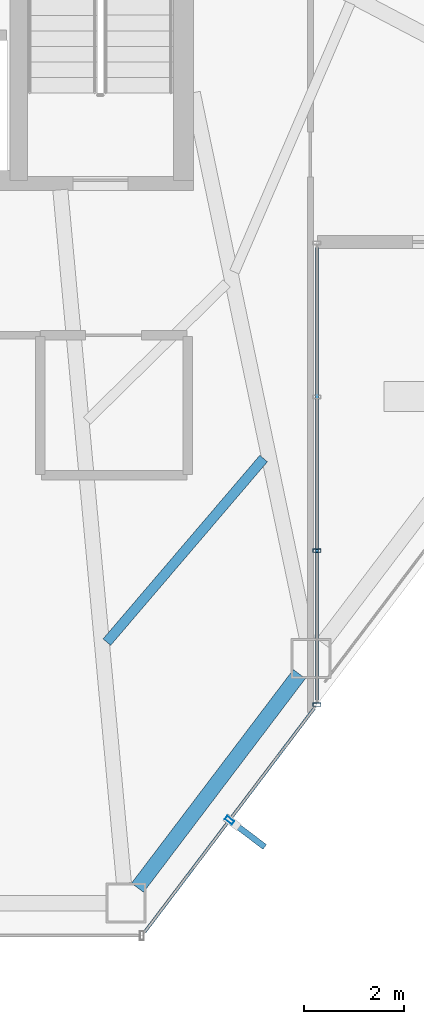
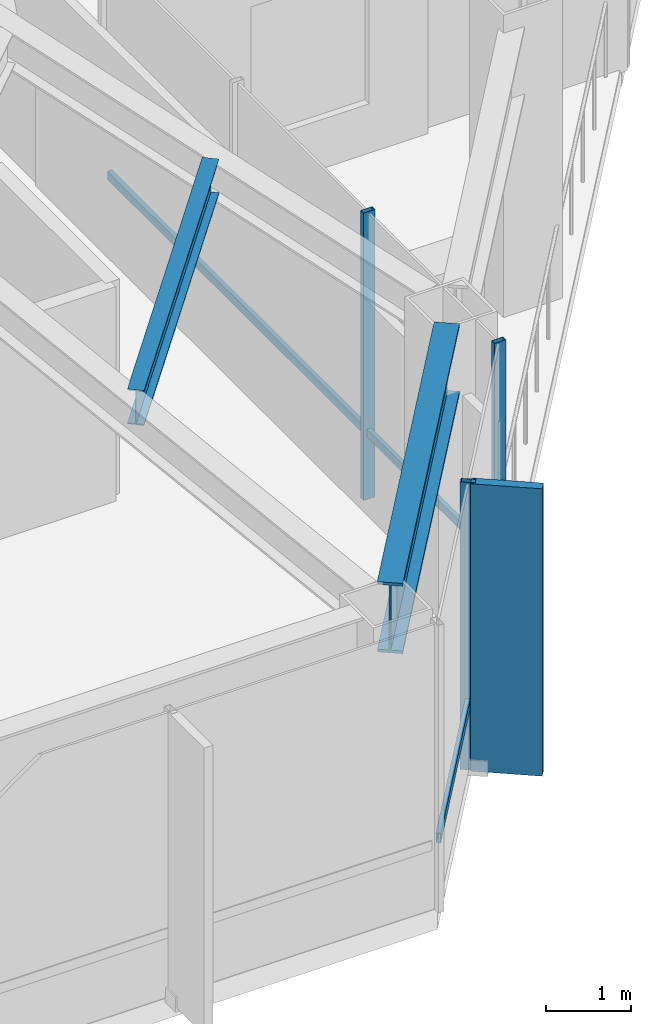
# One storey, part 15 of 27: 6 members, 2 beams, 2 elements without a shape of their own.
"""IFC4 building model written with IfcOpenShell, lengths in metres."""

from ifc_helpers import new_model, si_unit, direction, frame, origin, origin_2d, place, context, subcontext, project, spatial, rectangle, hollow_rectangle, i_section, extrude, material, layer, layer_set, material_profile, profile_set, type_object, element, aggregate, save


model = new_model("IFC4")

# Units and contexts
model_context = context("Model", 3, precision=1e-05, world=origin(), true_north=direction((0.0, 1.0)))
body_context = subcontext(model_context, "Body", "Model", "MODEL_VIEW")
ifc_project = project(units=[si_unit("LENGTHUNIT", "METRE"), si_unit("AREAUNIT", "SQUARE_METRE"), si_unit("VOLUMEUNIT", "CUBIC_METRE"), si_unit("PLANEANGLEUNIT", "RADIAN"), si_unit("MASSUNIT", "GRAM", prefix="KILO")], contexts=[model_context])

# Site, building, storey
site_placement = place(None, origin())
site = spatial("IfcSite", under=ifc_project, at=site_placement, CompositionType="ELEMENT")
building_placement = place(site_placement, origin())
building = spatial("IfcBuilding", under=site, at=building_placement, Name="Zarrinselat Tower", CompositionType="ELEMENT")
storey_placement = place(building_placement, frame((0.0, 0.0, 114.580078125)))
storey = spatial("IfcBuildingStorey", under=building, at=storey_placement, Name="L27", CompositionType="ELEMENT", Elevation=114.580078125)

# Beams
ifc_material_1 = material(Name="Steel S460M", Category="steel")
ifc_material_profile_1 = material_profile(ifc_material_1, i_section(OverallWidth=0.302001953125, OverallDepth=1.008056640625, WebThickness=0.02099609375, FlangeThickness=0.0400390625, at=origin_2d()), Name="HEM 1000")
ifc_profile_set_1 = profile_set([ifc_material_profile_1], Name="Steel S460M")
beam_type_1 = type_object("IfcBeamType", Name="BM-HEM1000", PredefinedType="BEAM", material=ifc_profile_set_1)
beam_1_placement = place(storey_placement, frame((47.343505859375, 19.1064453125, 3.615966796875), z_axis=(0.603869965046, 0.797082847209, 0.0), x_axis=(-0.797082847209, 0.603869965046, 0.0)))
element("IfcBeam", 1, at=beam_1_placement, inside=storey, type_object=beam_type_1, Name="L27 Perimeter Spandrel Girder SP11", PredefinedType="BEAM", context=body_context, shape_type="SweptSolid", body=[
    extrude(i_section(OverallWidth=0.302001953125, OverallDepth=1.008056640625, WebThickness=0.02099609375, FlangeThickness=0.0400390625, at=origin_2d()), origin(), (0.0, 0.0, 1.0), 5.360107421875),
])
ifc_material_2 = material(Name="Steel S355J2", Category="steel")
ifc_material_profile_2 = material_profile(ifc_material_2, i_section(OverallWidth=0.199951171875, OverallDepth=0.5, WebThickness=0.01025390625, FlangeThickness=0.01611328125, at=origin_2d()), Name="IPE 500")
ifc_profile_set_2 = profile_set([ifc_material_profile_2], Name="Steel S355J2")
beam_type_2 = type_object("IfcBeamType", Name="BM-IPE500", PredefinedType="JOIST", material=ifc_profile_set_2)
beam_2_placement = place(storey_placement, frame((46.730712890625, 24.01708984375, 3.869873046875), z_axis=(0.649440765323, 0.760412185815, 0.0), x_axis=(-0.760412185815, 0.649440765323, 0.0)))
element("IfcBeam", 2, at=beam_2_placement, inside=storey, type_object=beam_type_2, Name="L27 Composite Floor Joist 3-1", PredefinedType="JOIST", context=body_context, shape_type="SweptSolid", body=[
    extrude(i_section(OverallWidth=0.199951171875, OverallDepth=0.5, WebThickness=0.01025390625, FlangeThickness=0.01611328125, at=origin_2d()), origin(), (0.0, 0.0, 1.0), 4.826904296875),
])

# Curtain wall, member
ifc_material_3 = material(Name="Extruded Aluminium Alloy EN AW-6063 T6", Category="aluminium")
ifc_layer_1 = layer(ifc_material_3, 0.195068359375)
ifc_layer_set_1 = layer_set([ifc_layer_1], Name="Extruded Aluminium Alloy EN AW-6063 T6")
curtain_wall_type_1 = type_object("IfcCurtainWallType", Name="CWS-GDN", PredefinedType="NOTDEFINED", material=ifc_layer_set_1)
curtain_wall_1_placement = place(storey_placement, origin())
curtain_wall_1 = element("IfcCurtainWall", 3, at=curtain_wall_1_placement, inside=storey, type_object=curtain_wall_type_1, Name="L27 Unitised Curtain Wall CW-L27-E25", PredefinedType="NOTDEFINED")
ifc_material_4 = material(Name="Extruded Aluminium Alloy EN AW-6063 T6", Category="aluminium")
ifc_material_profile_3 = material_profile(ifc_material_4, hollow_rectangle(XDim=0.080078125, YDim=0.179931640625, WallThickness=0.0048828125, at=origin_2d()), Name="RHS 180x80x5")
ifc_profile_set_3 = profile_set([ifc_material_profile_3], Name="Extruded Aluminium Alloy EN AW-6063 T6")
member_type_1 = type_object("IfcMemberType", Name="MEM-CW-MUL", PredefinedType="MULLION", material=ifc_profile_set_3)
member_1_placement = place(storey_placement, frame((49.181884765625, 20.45654296875, 0.0), z_axis=(0.0, 0.0, 1.0), x_axis=(-0.60386042105, -0.79709007765, 0.0)))
member_1 = element("IfcMember", 4, at=member_1_placement, type_object=member_type_1, Name="CW-L27-E25 Mullion 1", PredefinedType="MULLION", context=body_context, shape_type="SweptSolid", body=[
    extrude(hollow_rectangle(XDim=0.080078125, YDim=0.179931640625, WallThickness=0.0048828125, at=origin_2d()), origin(), (0.0, 0.0, 1.0), 4.119873046875),
])

# Curtain wall, members
ifc_material_5 = material(Name="Extruded Aluminium Alloy EN AW-6063 T6", Category="aluminium")
ifc_layer_2 = layer(ifc_material_5, 0.18994140625)
ifc_layer_set_2 = layer_set([ifc_layer_2], Name="Extruded Aluminium Alloy EN AW-6063 T6")
curtain_wall_type_2 = type_object("IfcCurtainWallType", Name="CWS-SG", PredefinedType="NOTDEFINED", material=ifc_layer_set_2)
curtain_wall_2_placement = place(storey_placement, origin())
curtain_wall_2 = element("IfcCurtainWall", 5, at=curtain_wall_2_placement, inside=storey, type_object=curtain_wall_type_2, Name="L27 Unitised Curtain Wall CW-L27-E24", PredefinedType="NOTDEFINED")
ifc_material_6 = material(Name="Extruded Aluminium Alloy EN AW-6063 T6", Category="aluminium")
ifc_material_profile_4 = material_profile(ifc_material_6, hollow_rectangle(XDim=0.070068359375, YDim=0.159912109375, WallThickness=0.00390625, at=origin_2d()), Name="RHS 160x70x4")
ifc_profile_set_4 = profile_set([ifc_material_profile_4], Name="Extruded Aluminium Alloy EN AW-6063 T6")
member_type_2 = type_object("IfcMemberType", Name="MEM-CW-MUL2", PredefinedType="MULLION", material=ifc_profile_set_4)
member_2_placement = place(storey_placement, frame((50.931396484375, 25.843994140625, 0.0), z_axis=(0.0, 0.0, 1.0), x_axis=(0.0, -1.0, 0.0)))
member_2 = element("IfcMember", 6, at=member_2_placement, type_object=member_type_2, Name="CW-L27-E24 Mullion 2", PredefinedType="MULLION", context=body_context, shape_type="SweptSolid", body=[
    extrude(hollow_rectangle(XDim=0.070068359375, YDim=0.159912109375, WallThickness=0.00390625, at=origin_2d()), origin(), (0.0, 0.0, 1.0), 4.119873046875),
])
member_3_placement = place(storey_placement, frame((50.931396484375, 22.76611328125, 0.0), z_axis=(0.0, 0.0, 1.0), x_axis=(0.0, -1.0, 0.0)))
member_3 = element("IfcMember", 7, at=member_3_placement, type_object=member_type_2, Name="CW-L27-E24 Mullion 3", PredefinedType="MULLION", context=body_context, shape_type="SweptSolid", body=[
    extrude(hollow_rectangle(XDim=0.070068359375, YDim=0.159912109375, WallThickness=0.00390625, at=origin_2d()), origin(), (0.0, 0.0, 1.0), 4.119873046875),
])

# Member
ifc_material_7 = material(Name="Extruded Aluminium Alloy EN AW-6063 T6", Category="aluminium")
ifc_material_profile_5 = material_profile(ifc_material_7, hollow_rectangle(XDim=0.06005859375, YDim=0.139892578125, WallThickness=0.00390625, at=origin_2d()), Name="RHS 140x60x4")
ifc_profile_set_5 = profile_set([ifc_material_profile_5], Name="Extruded Aluminium Alloy EN AW-6063 T6")
member_type_3 = type_object("IfcMemberType", Name="MEM-CW-TRN", PredefinedType="USERDEFINED", material=ifc_profile_set_5)
member_4_placement = place(storey_placement, frame((50.877197265625, 22.6943359375, 0.949951171875), z_axis=(-0.603861036568, -0.797089611345, 0.0), x_axis=(0.797089611345, -0.603861036568, 0.0)))
member_4 = element("IfcMember", 8, at=member_4_placement, type_object=member_type_3, Name="CW-L27-E25 Transom 1", ObjectType="TRANSOM", PredefinedType="USERDEFINED", context=body_context, shape_type="SweptSolid", body=[
    extrude(hollow_rectangle(XDim=0.06005859375, YDim=0.139892578125, WallThickness=0.00390625, at=origin_2d()), origin(), (0.0, 0.0, 1.0), 5.614990234375),
])

ifc_material_8 = material(Name="Extruded Aluminium Alloy EN AW-6063 T6", Category="aluminium")
ifc_material_profile_6 = material_profile(ifc_material_8, hollow_rectangle(XDim=0.06005859375, YDim=0.1201171875, WallThickness=0.00390625, at=origin_2d()), Name="RHS 120x60x4")
ifc_profile_set_6 = profile_set([ifc_material_profile_6], Name="Extruded Aluminium Alloy EN AW-6063 T6")
member_type_4 = type_object("IfcMemberType", Name="MEM-CW-TRN2", PredefinedType="USERDEFINED", material=ifc_profile_set_6)
member_5_placement = place(storey_placement, frame((50.931396484375, 31.909912109375, 0.949951171875), z_axis=(0.0, -1.0, 0.0), x_axis=(1.0, 0.0, 0.0)))
member_5 = element("IfcMember", 9, at=member_5_placement, type_object=member_type_4, Name="CW-L27-E24 Transom 1", ObjectType="TRANSOM", PredefinedType="USERDEFINED", context=body_context, shape_type="SweptSolid", body=[
    extrude(hollow_rectangle(XDim=0.06005859375, YDim=0.1201171875, WallThickness=0.00390625, at=origin_2d()), origin(), (0.0, 0.0, 1.0), 9.053955078125),
])

aggregate(curtain_wall_2, [member_2, member_3, member_5])

ifc_material_9 = material(Name="Honed Cream Travertine Stone", Category="masonry")
ifc_material_profile_7 = material_profile(ifc_material_9, rectangle(XDim=0.1201171875, YDim=0.85009765625, at=origin_2d()), Name="FIN 850x120")
ifc_profile_set_7 = profile_set([ifc_material_profile_7], Name="Honed Cream Travertine Stone")
member_type_5 = type_object("IfcMemberType", Name="MEM-STONE-FIN", PredefinedType="USERDEFINED", material=ifc_profile_set_7)
member_6_placement = place(storey_placement, frame((49.548583984375, 20.1787109375, 0.0), z_axis=(0.0, 0.0, 1.0), x_axis=(-0.60386042105, -0.79709007765, 0.0)))
member_6 = element("IfcMember", 10, at=member_6_placement, type_object=member_type_5, Name="L27 Stone Shading Fin CW-L27-E25-01", ObjectType="FIN", PredefinedType="USERDEFINED", context=body_context, shape_type="SweptSolid", body=[
    extrude(rectangle(XDim=0.1201171875, YDim=0.85009765625, at=origin_2d()), origin(), (0.0, 0.0, 1.0), 4.119873046875),
])

aggregate(curtain_wall_1, [member_1, member_6, member_4])

save(model, "model.ifc")
